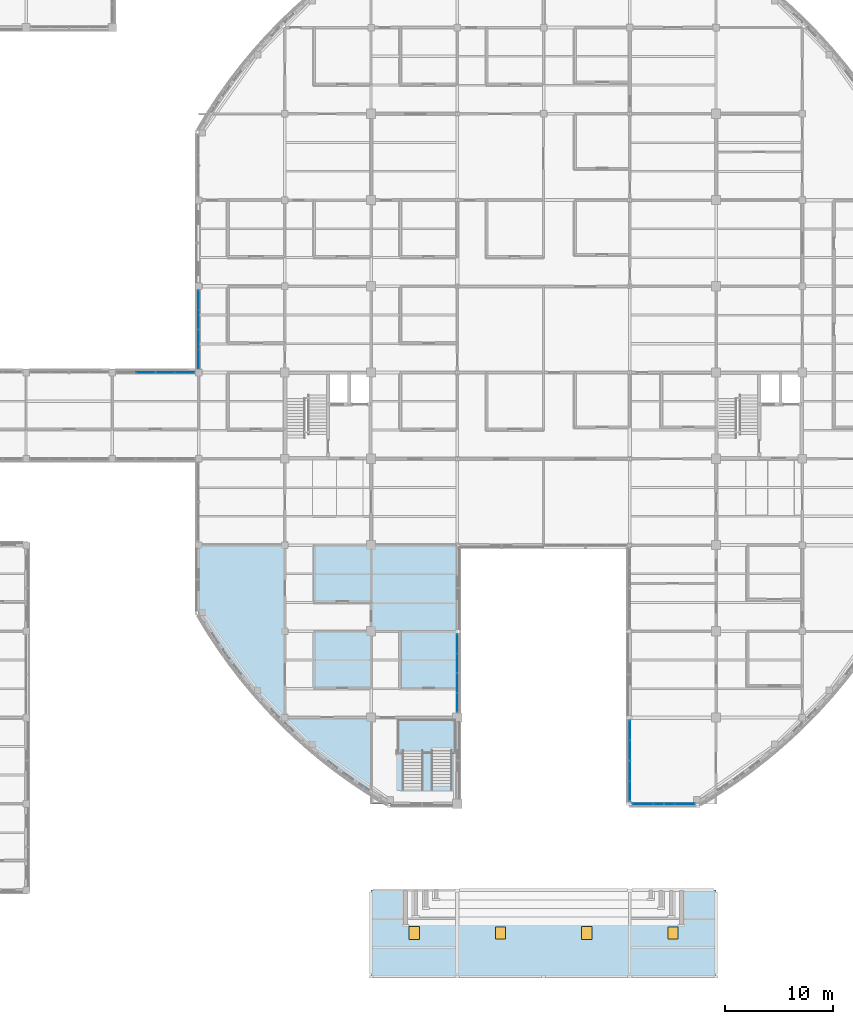
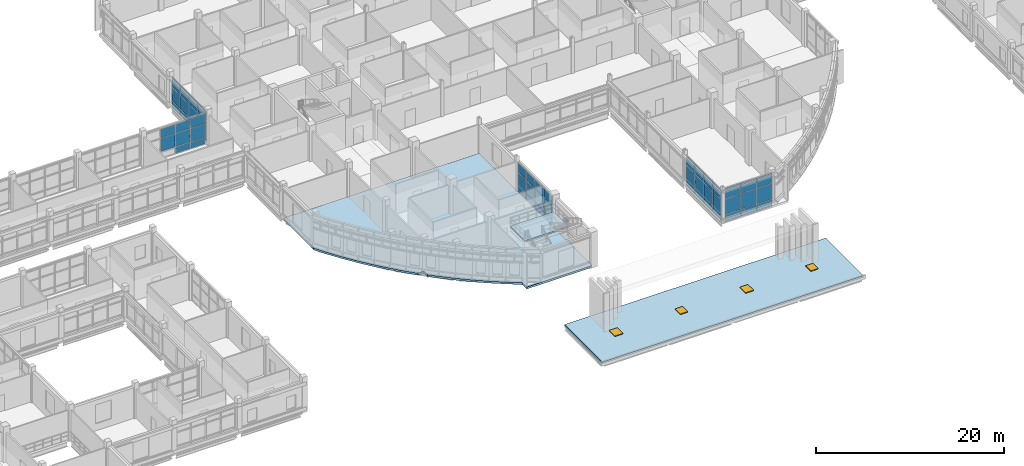
# One storey, part 64 of 121: 53 plates, 4 doors, 3 slabs, 4 openings, 6 elements without a shape of their own.
"""IFC4 building model written with IfcOpenShell, lengths in metres."""

from ifc_helpers import new_model, si_unit, derived_unit, direction, frame, origin, origin_2d, place, context, subcontext, project, spatial, polyline, rectangle, outline, extrude, material, layer, layer_set, type_object, element, fill, aggregate, save


model = new_model("IFC4")

# Units and contexts
model_context = context("Model", 3, precision=1e-05, world=origin(), true_north=direction((0.0, 1.0)))
body_context = subcontext(model_context, "Body", "Model", "MODEL_VIEW")
ifc_project = project(units=[si_unit("LENGTHUNIT", "METRE"), si_unit("AREAUNIT", "SQUARE_METRE"), si_unit("VOLUMEUNIT", "CUBIC_METRE"), si_unit("PLANEANGLEUNIT", "RADIAN"), si_unit("MASSUNIT", "GRAM", prefix="KILO"), derived_unit("THERMALTRANSMITTANCEUNIT", [(si_unit("MASSUNIT", "GRAM", prefix="KILO"), 1), (si_unit("TIMEUNIT", "SECOND"), -3), (si_unit("THERMODYNAMICTEMPERATUREUNIT", "KELVIN"), -1)])], contexts=[model_context])

# Site, building, storey
site_placement = place(None, origin())
site = spatial("IfcSite", under=ifc_project, at=site_placement, CompositionType="ELEMENT")
building_placement = place(site_placement, origin())
building = spatial("IfcBuilding", under=site, at=building_placement, Name="Veyamyaing Civic Hall", CompositionType="ELEMENT")
storey_placement = place(building_placement, frame((0.0, 0.0, 5.280029296875)))
storey = spatial("IfcBuildingStorey", under=building, at=storey_placement, Name="L01", CompositionType="ELEMENT", Elevation=5.280029296875)

# Curtain wall, plates
ifc_material_1 = material(Name="Anodised aluminium 6063-T6", Category="aluminium")
ifc_layer_1 = layer(ifc_material_1, 0.159912109375, Name="Anodised aluminium 6063-T6")
ifc_layer_set_1 = layer_set([ifc_layer_1], Name="Anodised aluminium 6063-T6")
curtain_wall_type = type_object("IfcCurtainWallType", Name="CW-02", PredefinedType="NOTDEFINED", material=ifc_layer_set_1)
curtain_wall_1_placement = place(storey_placement, origin())
curtain_wall_1 = element("IfcCurtainWall", 1, at=curtain_wall_1_placement, inside=storey, type_object=curtain_wall_type, Name="Unitized curtain wall CW-02 L01 N 7.7", PredefinedType="NOTDEFINED")
ifc_material_2 = material(Name="Low-E insulated glass", Category="glass")
ifc_layer_2 = layer(ifc_material_2, 0.035888671875, Name="Low-E insulated glass")
ifc_layer_set_2 = layer_set([ifc_layer_2], Name="Low-E insulated glass")
plate_type_1 = type_object("IfcPlateType", Name="CWP-03", PredefinedType="CURTAIN_PANEL", material=ifc_layer_set_2)
plate_1_placement = place(storey_placement, frame((51.08251953125, 56.0, 0.9326171875), z_axis=(0.0, 0.0, 1.0), x_axis=(1.0, 0.0, 0.0)))
plate_1 = element("IfcPlate", 2, at=plate_1_placement, type_object=plate_type_1, Name="CW-02 panel 2.2", PredefinedType="CURTAIN_PANEL", context=body_context, shape_type="SweptSolid", body=[
    extrude(rectangle(XDim=1.77001953125, YDim=0.035888671875, at=origin_2d()), origin(), (0.0, 0.0, 1.0), 1.696533203125),
])
plate_2_placement = place(storey_placement, frame((51.08251953125, 56.0, 2.69384765625), z_axis=(0.0, 0.0, 1.0), x_axis=(1.0, 0.0, 0.0)))
plate_2 = element("IfcPlate", 3, at=plate_2_placement, type_object=plate_type_1, Name="CW-02 panel 2.3", PredefinedType="CURTAIN_PANEL", context=body_context, shape_type="SweptSolid", body=[
    extrude(rectangle(XDim=1.77001953125, YDim=0.035888671875, at=origin_2d()), origin(), (0.0, 0.0, 1.0), 1.155029296875),
])
plate_3_placement = place(storey_placement, frame((52.91748046875, 56.0, 0.06494140625), z_axis=(0.0, 0.0, 1.0), x_axis=(1.0, 0.0, 0.0)))
plate_3 = element("IfcPlate", 4, at=plate_3_placement, type_object=plate_type_1, Name="CW-02 panel 3.1", PredefinedType="CURTAIN_PANEL", context=body_context, shape_type="SweptSolid", body=[
    extrude(rectangle(XDim=1.77001953125, YDim=0.035888671875, at=origin_2d()), origin(), (0.0, 0.0, 1.0), 0.802490234375),
])
plate_4_placement = place(storey_placement, frame((52.91748046875, 56.0, 0.9326171875), z_axis=(0.0, 0.0, 1.0), x_axis=(1.0, 0.0, 0.0)))
plate_4 = element("IfcPlate", 5, at=plate_4_placement, type_object=plate_type_1, Name="CW-02 panel 3.2", PredefinedType="CURTAIN_PANEL", context=body_context, shape_type="SweptSolid", body=[
    extrude(rectangle(XDim=1.77001953125, YDim=0.035888671875, at=origin_2d()), origin(), (0.0, 0.0, 1.0), 1.696533203125),
])
plate_5_placement = place(storey_placement, frame((52.91748046875, 56.0, 2.69384765625), z_axis=(0.0, 0.0, 1.0), x_axis=(1.0, 0.0, 0.0)))
plate_5 = element("IfcPlate", 6, at=plate_5_placement, type_object=plate_type_1, Name="CW-02 panel 3.3", PredefinedType="CURTAIN_PANEL", context=body_context, shape_type="SweptSolid", body=[
    extrude(rectangle(XDim=1.77001953125, YDim=0.035888671875, at=origin_2d()), origin(), (0.0, 0.0, 1.0), 1.155029296875),
])
plate_6_placement = place(storey_placement, frame((54.736328125, 56.0, 0.06494140625), z_axis=(0.0, 0.0, 1.0), x_axis=(1.0, 0.0, 0.0)))
plate_6 = element("IfcPlate", 7, at=plate_6_placement, type_object=plate_type_1, Name="CW-02 panel 4.1", PredefinedType="CURTAIN_PANEL", context=body_context, shape_type="SweptSolid", body=[
    extrude(rectangle(XDim=1.737548828125, YDim=0.035888671875, at=origin_2d()), origin(), (0.0, 0.0, 1.0), 0.802490234375),
])
plate_7_placement = place(storey_placement, frame((54.736328125, 56.0, 0.9326171875), z_axis=(0.0, 0.0, 1.0), x_axis=(1.0, 0.0, 0.0)))
plate_7 = element("IfcPlate", 8, at=plate_7_placement, type_object=plate_type_1, Name="CW-02 panel 4.2", PredefinedType="CURTAIN_PANEL", context=body_context, shape_type="SweptSolid", body=[
    extrude(rectangle(XDim=1.737548828125, YDim=0.035888671875, at=origin_2d()), origin(), (0.0, 0.0, 1.0), 1.696533203125),
])
plate_8_placement = place(storey_placement, frame((54.736328125, 56.0, 2.69384765625), z_axis=(0.0, 0.0, 1.0), x_axis=(1.0, 0.0, 0.0)))
plate_8 = element("IfcPlate", 9, at=plate_8_placement, type_object=plate_type_1, Name="CW-02 panel 4.3", PredefinedType="CURTAIN_PANEL", context=body_context, shape_type="SweptSolid", body=[
    extrude(rectangle(XDim=1.737548828125, YDim=0.035888671875, at=origin_2d()), origin(), (0.0, 0.0, 1.0), 1.155029296875),
])
aggregate(curtain_wall_1, [plate_1, plate_2, plate_3, plate_4, plate_5, plate_6, plate_7, plate_8])

curtain_wall_2_placement = place(storey_placement, origin())
curtain_wall_2 = element("IfcCurtainWall", 10, at=curtain_wall_2_placement, inside=storey, type_object=curtain_wall_type, Name="Unitized curtain wall CW-02 L01 E 10.4", PredefinedType="NOTDEFINED")
plate_9_placement = place(storey_placement, frame((80.0, 25.387451171875, 0.06494140625), z_axis=(0.0, 0.0, 1.0), x_axis=(0.0, 1.0, 0.0)))
plate_9 = element("IfcPlate", 11, at=plate_9_placement, type_object=plate_type_1, Name="CW-02 panel 1.1", PredefinedType="CURTAIN_PANEL", context=body_context, shape_type="SweptSolid", body=[
    extrude(rectangle(XDim=1.73486328125, YDim=0.035888671875, at=origin_2d()), origin(), (0.0, 0.0, 1.0), 0.802490234375),
])
plate_10_placement = place(storey_placement, frame((80.0, 25.387451171875, 0.932373046875), z_axis=(0.0, 0.0, 1.0), x_axis=(0.0, 1.0, 0.0)))
plate_10 = element("IfcPlate", 12, at=plate_10_placement, type_object=plate_type_1, Name="CW-02 panel 1.2", PredefinedType="CURTAIN_PANEL", context=body_context, shape_type="SweptSolid", body=[
    extrude(rectangle(XDim=1.73486328125, YDim=0.035888671875, at=origin_2d()), origin(), (0.0, 0.0, 1.0), 1.66259765625),
])
plate_11_placement = place(storey_placement, frame((80.0, 25.387451171875, 2.66015625), z_axis=(0.0, 0.0, 1.0), x_axis=(0.0, 1.0, 0.0)))
plate_11 = element("IfcPlate", 13, at=plate_11_placement, type_object=plate_type_1, Name="CW-02 panel 1.3", PredefinedType="CURTAIN_PANEL", context=body_context, shape_type="SweptSolid", body=[
    extrude(rectangle(XDim=1.73486328125, YDim=0.035888671875, at=origin_2d()), origin(), (0.0, 0.0, 1.0), 1.138916015625),
])
plate_12_placement = place(storey_placement, frame((80.0, 27.203369140625, 0.06494140625), z_axis=(0.0, 0.0, 1.0), x_axis=(0.0, 1.0, 0.0)))
plate_12 = element("IfcPlate", 14, at=plate_12_placement, type_object=plate_type_1, Name="CW-02 panel 2.1", PredefinedType="CURTAIN_PANEL", context=body_context, shape_type="SweptSolid", body=[
    extrude(rectangle(XDim=1.767333984375, YDim=0.035888671875, at=origin_2d()), origin(), (0.0, 0.0, 1.0), 0.802490234375),
])
plate_13_placement = place(storey_placement, frame((80.0, 27.203369140625, 0.932373046875), z_axis=(0.0, 0.0, 1.0), x_axis=(0.0, 1.0, 0.0)))
plate_13 = element("IfcPlate", 15, at=plate_13_placement, type_object=plate_type_1, Name="CW-02 panel 2.2", PredefinedType="CURTAIN_PANEL", context=body_context, shape_type="SweptSolid", body=[
    extrude(rectangle(XDim=1.767333984375, YDim=0.035888671875, at=origin_2d()), origin(), (0.0, 0.0, 1.0), 1.66259765625),
])
plate_14_placement = place(storey_placement, frame((80.0, 27.203369140625, 2.66015625), z_axis=(0.0, 0.0, 1.0), x_axis=(0.0, 1.0, 0.0)))
plate_14 = element("IfcPlate", 16, at=plate_14_placement, type_object=plate_type_1, Name="CW-02 panel 2.3", PredefinedType="CURTAIN_PANEL", context=body_context, shape_type="SweptSolid", body=[
    extrude(rectangle(XDim=1.767333984375, YDim=0.035888671875, at=origin_2d()), origin(), (0.0, 0.0, 1.0), 1.138916015625),
])
plate_15_placement = place(storey_placement, frame((80.0, 29.03564453125, 0.06494140625), z_axis=(0.0, 0.0, 1.0), x_axis=(0.0, 1.0, 0.0)))
plate_15 = element("IfcPlate", 17, at=plate_15_placement, type_object=plate_type_1, Name="CW-02 panel 3.1", PredefinedType="CURTAIN_PANEL", context=body_context, shape_type="SweptSolid", body=[
    extrude(rectangle(XDim=1.767333984375, YDim=0.035888671875, at=origin_2d()), origin(), (0.0, 0.0, 1.0), 0.802490234375),
])
plate_16_placement = place(storey_placement, frame((80.0, 29.03564453125, 0.932373046875), z_axis=(0.0, 0.0, 1.0), x_axis=(0.0, 1.0, 0.0)))
plate_16 = element("IfcPlate", 18, at=plate_16_placement, type_object=plate_type_1, Name="CW-02 panel 3.2", PredefinedType="CURTAIN_PANEL", context=body_context, shape_type="SweptSolid", body=[
    extrude(rectangle(XDim=1.767333984375, YDim=0.035888671875, at=origin_2d()), origin(), (0.0, 0.0, 1.0), 1.66259765625),
])
plate_17_placement = place(storey_placement, frame((80.0, 29.03564453125, 2.66015625), z_axis=(0.0, 0.0, 1.0), x_axis=(0.0, 1.0, 0.0)))
plate_17 = element("IfcPlate", 19, at=plate_17_placement, type_object=plate_type_1, Name="CW-02 panel 3.3", PredefinedType="CURTAIN_PANEL", context=body_context, shape_type="SweptSolid", body=[
    extrude(rectangle(XDim=1.767333984375, YDim=0.035888671875, at=origin_2d()), origin(), (0.0, 0.0, 1.0), 1.138916015625),
])
plate_18_placement = place(storey_placement, frame((80.0, 30.8515625, 0.06494140625), z_axis=(0.0, 0.0, 1.0), x_axis=(0.0, 1.0, 0.0)))
plate_18 = element("IfcPlate", 20, at=plate_18_placement, type_object=plate_type_1, Name="CW-02 panel 4.1", PredefinedType="CURTAIN_PANEL", context=body_context, shape_type="SweptSolid", body=[
    extrude(rectangle(XDim=1.73486328125, YDim=0.035888671875, at=origin_2d()), origin(), (0.0, 0.0, 1.0), 0.802490234375),
])
plate_19_placement = place(storey_placement, frame((80.0, 30.8515625, 0.932373046875), z_axis=(0.0, 0.0, 1.0), x_axis=(0.0, 1.0, 0.0)))
plate_19 = element("IfcPlate", 21, at=plate_19_placement, type_object=plate_type_1, Name="CW-02 panel 4.2", PredefinedType="CURTAIN_PANEL", context=body_context, shape_type="SweptSolid", body=[
    extrude(rectangle(XDim=1.73486328125, YDim=0.035888671875, at=origin_2d()), origin(), (0.0, 0.0, 1.0), 1.66259765625),
])
plate_20_placement = place(storey_placement, frame((80.0, 30.8515625, 2.66015625), z_axis=(0.0, 0.0, 1.0), x_axis=(0.0, 1.0, 0.0)))
plate_20 = element("IfcPlate", 22, at=plate_20_placement, type_object=plate_type_1, Name="CW-02 panel 4.3", PredefinedType="CURTAIN_PANEL", context=body_context, shape_type="SweptSolid", body=[
    extrude(rectangle(XDim=1.73486328125, YDim=0.035888671875, at=origin_2d()), origin(), (0.0, 0.0, 1.0), 1.138916015625),
])
aggregate(curtain_wall_2, [plate_9, plate_10, plate_11, plate_12, plate_13, plate_14, plate_15, plate_16, plate_17, plate_18, plate_19, plate_20])

curtain_wall_3_placement = place(storey_placement, origin())
curtain_wall_3 = element("IfcCurtainWall", 23, at=curtain_wall_3_placement, inside=storey, type_object=curtain_wall_type, Name="Unitized curtain wall CW-02 L01 W 8.8", PredefinedType="NOTDEFINED")
ifc_layer_3 = layer(ifc_material_2, 0.0400390625, Name="Low-E insulated glass")
ifc_layer_set_3 = layer_set([ifc_layer_3], Name="Low-E insulated glass")
plate_type_2 = type_object("IfcPlateType", Name="CWP-05", PredefinedType="CURTAIN_PANEL", material=ifc_layer_set_3)
plate_21_placement = place(storey_placement, frame((56.0, 57.263671875, 0.06494140625), z_axis=(0.0, 0.0, 1.0), x_axis=(0.0, 1.0, 0.0)))
plate_21 = element("IfcPlate", 24, at=plate_21_placement, type_object=plate_type_2, Name="CW-02 panel 1.1", PredefinedType="CURTAIN_PANEL", context=body_context, shape_type="SweptSolid", body=[
    extrude(rectangle(XDim=1.737548828125, YDim=0.0400390625, at=origin_2d()), origin(), (0.0, 0.0, 1.0), 0.802490234375),
])
plate_22_placement = place(storey_placement, frame((56.0, 57.263671875, 0.9326171875), z_axis=(0.0, 0.0, 1.0), x_axis=(0.0, 1.0, 0.0)))
plate_22 = element("IfcPlate", 25, at=plate_22_placement, type_object=plate_type_2, Name="CW-02 panel 1.2", PredefinedType="CURTAIN_PANEL", context=body_context, shape_type="SweptSolid", body=[
    extrude(rectangle(XDim=1.737548828125, YDim=0.0400390625, at=origin_2d()), origin(), (0.0, 0.0, 1.0), 1.739501953125),
])
plate_23_placement = place(storey_placement, frame((56.0, 57.263671875, 2.73681640625), z_axis=(0.0, 0.0, 1.0), x_axis=(0.0, 1.0, 0.0)))
plate_23 = element("IfcPlate", 26, at=plate_23_placement, type_object=plate_type_2, Name="CW-02 panel 1.3", PredefinedType="CURTAIN_PANEL", context=body_context, shape_type="SweptSolid", body=[
    extrude(rectangle(XDim=1.737548828125, YDim=0.0400390625, at=origin_2d()), origin(), (0.0, 0.0, 1.0), 1.175048828125),
])
plate_24_placement = place(storey_placement, frame((56.0, 59.08251953125, 0.06494140625), z_axis=(0.0, 0.0, 1.0), x_axis=(0.0, 1.0, 0.0)))
plate_24 = element("IfcPlate", 27, at=plate_24_placement, type_object=plate_type_2, Name="CW-02 panel 2.1", PredefinedType="CURTAIN_PANEL", context=body_context, shape_type="SweptSolid", body=[
    extrude(rectangle(XDim=1.77001953125, YDim=0.0400390625, at=origin_2d()), origin(), (0.0, 0.0, 1.0), 0.802490234375),
])
plate_25_placement = place(storey_placement, frame((56.0, 59.08251953125, 0.9326171875), z_axis=(0.0, 0.0, 1.0), x_axis=(0.0, 1.0, 0.0)))
plate_25 = element("IfcPlate", 28, at=plate_25_placement, type_object=plate_type_2, Name="CW-02 panel 2.2", PredefinedType="CURTAIN_PANEL", context=body_context, shape_type="SweptSolid", body=[
    extrude(rectangle(XDim=1.77001953125, YDim=0.0400390625, at=origin_2d()), origin(), (0.0, 0.0, 1.0), 1.739501953125),
])
plate_26_placement = place(storey_placement, frame((56.0, 59.08251953125, 2.73681640625), z_axis=(0.0, 0.0, 1.0), x_axis=(0.0, 1.0, 0.0)))
plate_26 = element("IfcPlate", 29, at=plate_26_placement, type_object=plate_type_2, Name="CW-02 panel 2.3", PredefinedType="CURTAIN_PANEL", context=body_context, shape_type="SweptSolid", body=[
    extrude(rectangle(XDim=1.77001953125, YDim=0.0400390625, at=origin_2d()), origin(), (0.0, 0.0, 1.0), 1.175048828125),
])
plate_27_placement = place(storey_placement, frame((56.0, 60.91748046875, 0.06494140625), z_axis=(0.0, 0.0, 1.0), x_axis=(0.0, 1.0, 0.0)))
plate_27 = element("IfcPlate", 30, at=plate_27_placement, type_object=plate_type_2, Name="CW-02 panel 3.1", PredefinedType="CURTAIN_PANEL", context=body_context, shape_type="SweptSolid", body=[
    extrude(rectangle(XDim=1.77001953125, YDim=0.0400390625, at=origin_2d()), origin(), (0.0, 0.0, 1.0), 0.802490234375),
])
plate_28_placement = place(storey_placement, frame((56.0, 60.91748046875, 0.9326171875), z_axis=(0.0, 0.0, 1.0), x_axis=(0.0, 1.0, 0.0)))
plate_28 = element("IfcPlate", 31, at=plate_28_placement, type_object=plate_type_2, Name="CW-02 panel 3.2", PredefinedType="CURTAIN_PANEL", context=body_context, shape_type="SweptSolid", body=[
    extrude(rectangle(XDim=1.77001953125, YDim=0.0400390625, at=origin_2d()), origin(), (0.0, 0.0, 1.0), 1.739501953125),
])
plate_29_placement = place(storey_placement, frame((56.0, 60.91748046875, 2.73681640625), z_axis=(0.0, 0.0, 1.0), x_axis=(0.0, 1.0, 0.0)))
plate_29 = element("IfcPlate", 32, at=plate_29_placement, type_object=plate_type_2, Name="CW-02 panel 3.3", PredefinedType="CURTAIN_PANEL", context=body_context, shape_type="SweptSolid", body=[
    extrude(rectangle(XDim=1.77001953125, YDim=0.0400390625, at=origin_2d()), origin(), (0.0, 0.0, 1.0), 1.175048828125),
])
plate_30_placement = place(storey_placement, frame((56.0, 62.736328125, 0.06494140625), z_axis=(0.0, 0.0, 1.0), x_axis=(0.0, 1.0, 0.0)))
plate_30 = element("IfcPlate", 33, at=plate_30_placement, type_object=plate_type_2, Name="CW-02 panel 4.1", PredefinedType="CURTAIN_PANEL", context=body_context, shape_type="SweptSolid", body=[
    extrude(rectangle(XDim=1.737548828125, YDim=0.0400390625, at=origin_2d()), origin(), (0.0, 0.0, 1.0), 0.802490234375),
])
plate_31_placement = place(storey_placement, frame((56.0, 62.736328125, 0.9326171875), z_axis=(0.0, 0.0, 1.0), x_axis=(0.0, 1.0, 0.0)))
plate_31 = element("IfcPlate", 34, at=plate_31_placement, type_object=plate_type_2, Name="CW-02 panel 4.2", PredefinedType="CURTAIN_PANEL", context=body_context, shape_type="SweptSolid", body=[
    extrude(rectangle(XDim=1.737548828125, YDim=0.0400390625, at=origin_2d()), origin(), (0.0, 0.0, 1.0), 1.739501953125),
])
plate_32_placement = place(storey_placement, frame((56.0, 62.736328125, 2.73681640625), z_axis=(0.0, 0.0, 1.0), x_axis=(0.0, 1.0, 0.0)))
plate_32 = element("IfcPlate", 35, at=plate_32_placement, type_object=plate_type_2, Name="CW-02 panel 4.3", PredefinedType="CURTAIN_PANEL", context=body_context, shape_type="SweptSolid", body=[
    extrude(rectangle(XDim=1.737548828125, YDim=0.0400390625, at=origin_2d()), origin(), (0.0, 0.0, 1.0), 1.175048828125),
])
aggregate(curtain_wall_3, [plate_21, plate_22, plate_23, plate_24, plate_25, plate_26, plate_27, plate_28, plate_29, plate_30, plate_31, plate_32])

curtain_wall_4_placement = place(storey_placement, origin())
curtain_wall_4 = element("IfcCurtainWall", 36, at=curtain_wall_4_placement, inside=storey, type_object=curtain_wall_type, Name="Unitized curtain wall CW-02 L01 S 13.3", PredefinedType="NOTDEFINED")
plate_33_placement = place(storey_placement, frame((97.2138671875, 16.0, 0.06494140625), z_axis=(0.0, 0.0, 1.0), x_axis=(1.0, 0.0, 0.0)))
plate_33 = element("IfcPlate", 37, at=plate_33_placement, type_object=plate_type_2, Name="CW-02 panel 1.1", PredefinedType="CURTAIN_PANEL", context=body_context, shape_type="SweptSolid", body=[
    extrude(rectangle(XDim=1.86376953125, YDim=0.0400390625, at=origin_2d()), origin(), (0.0, 0.0, 1.0), 0.802490234375),
])
plate_34_placement = place(storey_placement, frame((97.2138671875, 16.0, 0.932373046875), z_axis=(0.0, 0.0, 1.0), x_axis=(1.0, 0.0, 0.0)))
plate_34 = element("IfcPlate", 38, at=plate_34_placement, type_object=plate_type_2, Name="CW-02 panel 1.2", PredefinedType="CURTAIN_PANEL", context=body_context, shape_type="SweptSolid", body=[
    extrude(rectangle(XDim=1.86376953125, YDim=0.0400390625, at=origin_2d()), origin(), (0.0, 0.0, 1.0), 1.98291015625),
])
plate_35_placement = place(storey_placement, frame((97.2138671875, 16.0, 2.97998046875), z_axis=(0.0, 0.0, 1.0), x_axis=(1.0, 0.0, 0.0)))
plate_35 = element("IfcPlate", 39, at=plate_35_placement, type_object=plate_type_2, Name="CW-02 panel 1.3", PredefinedType="CURTAIN_PANEL", context=body_context, shape_type="SweptSolid", body=[
    extrude(rectangle(XDim=1.86376953125, YDim=0.0400390625, at=origin_2d()), origin(), (0.0, 0.0, 1.0), 1.289794921875),
])
plate_36_placement = place(storey_placement, frame((99.158935546875, 16.0, 0.06494140625), z_axis=(0.0, 0.0, 1.0), x_axis=(1.0, 0.0, 0.0)))
plate_36 = element("IfcPlate", 40, at=plate_36_placement, type_object=plate_type_2, Name="CW-02 panel 2.1", PredefinedType="CURTAIN_PANEL", context=body_context, shape_type="SweptSolid", body=[
    extrude(rectangle(XDim=1.896240234375, YDim=0.0400390625, at=origin_2d()), origin(), (0.0, 0.0, 1.0), 0.802490234375),
])
plate_37_placement = place(storey_placement, frame((99.158935546875, 16.0, 0.932373046875), z_axis=(0.0, 0.0, 1.0), x_axis=(1.0, 0.0, 0.0)))
plate_37 = element("IfcPlate", 41, at=plate_37_placement, type_object=plate_type_2, Name="CW-02 panel 2.2", PredefinedType="CURTAIN_PANEL", context=body_context, shape_type="SweptSolid", body=[
    extrude(rectangle(XDim=1.896240234375, YDim=0.0400390625, at=origin_2d()), origin(), (0.0, 0.0, 1.0), 1.98291015625),
])
plate_38_placement = place(storey_placement, frame((99.158935546875, 16.0, 2.97998046875), z_axis=(0.0, 0.0, 1.0), x_axis=(1.0, 0.0, 0.0)))
plate_38 = element("IfcPlate", 42, at=plate_38_placement, type_object=plate_type_2, Name="CW-02 panel 2.3", PredefinedType="CURTAIN_PANEL", context=body_context, shape_type="SweptSolid", body=[
    extrude(rectangle(XDim=1.896240234375, YDim=0.0400390625, at=origin_2d()), origin(), (0.0, 0.0, 1.0), 1.289794921875),
])
plate_39_placement = place(storey_placement, frame((101.10400390625, 16.0, 0.06494140625), z_axis=(0.0, 0.0, 1.0), x_axis=(1.0, 0.0, 0.0)))
plate_39 = element("IfcPlate", 43, at=plate_39_placement, type_object=plate_type_2, Name="CW-02 panel 3.1", PredefinedType="CURTAIN_PANEL", context=body_context, shape_type="SweptSolid", body=[
    extrude(rectangle(XDim=1.86376953125, YDim=0.0400390625, at=origin_2d()), origin(), (0.0, 0.0, 1.0), 0.802490234375),
])
plate_40_placement = place(storey_placement, frame((101.10400390625, 16.0, 0.932373046875), z_axis=(0.0, 0.0, 1.0), x_axis=(1.0, 0.0, 0.0)))
plate_40 = element("IfcPlate", 44, at=plate_40_placement, type_object=plate_type_2, Name="CW-02 panel 3.2", PredefinedType="CURTAIN_PANEL", context=body_context, shape_type="SweptSolid", body=[
    extrude(rectangle(XDim=1.86376953125, YDim=0.0400390625, at=origin_2d()), origin(), (0.0, 0.0, 1.0), 1.98291015625),
])
plate_41_placement = place(storey_placement, frame((101.10400390625, 16.0, 2.97998046875), z_axis=(0.0, 0.0, 1.0), x_axis=(1.0, 0.0, 0.0)))
plate_41 = element("IfcPlate", 45, at=plate_41_placement, type_object=plate_type_2, Name="CW-02 panel 3.3", PredefinedType="CURTAIN_PANEL", context=body_context, shape_type="SweptSolid", body=[
    extrude(rectangle(XDim=1.86376953125, YDim=0.0400390625, at=origin_2d()), origin(), (0.0, 0.0, 1.0), 1.289794921875),
])
aggregate(curtain_wall_4, [plate_33, plate_34, plate_35, plate_36, plate_37, plate_38, plate_39, plate_40, plate_41])

curtain_wall_5_placement = place(storey_placement, origin())
curtain_wall_5 = element("IfcCurtainWall", 46, at=curtain_wall_5_placement, inside=storey, type_object=curtain_wall_type, Name="Unitized curtain wall CW-02 L01 W 13.3", PredefinedType="NOTDEFINED")
plate_42_placement = place(storey_placement, frame((96.0, 17.17822265625, 0.06494140625), z_axis=(0.0, 0.0, 1.0), x_axis=(0.0, 1.0, 0.0)))
plate_42 = element("IfcPlate", 47, at=plate_42_placement, type_object=plate_type_2, Name="CW-02 panel 1.1", PredefinedType="CURTAIN_PANEL", context=body_context, shape_type="SweptSolid", body=[
    extrude(rectangle(XDim=1.79443359375, YDim=0.0400390625, at=origin_2d()), origin(), (0.0, 0.0, 1.0), 0.802490234375),
])
plate_43_placement = place(storey_placement, frame((96.0, 17.17822265625, 0.932373046875), z_axis=(0.0, 0.0, 1.0), x_axis=(0.0, 1.0, 0.0)))
plate_43 = element("IfcPlate", 48, at=plate_43_placement, type_object=plate_type_2, Name="CW-02 panel 1.2", PredefinedType="CURTAIN_PANEL", context=body_context, shape_type="SweptSolid", body=[
    extrude(rectangle(XDim=1.79443359375, YDim=0.0400390625, at=origin_2d()), origin(), (0.0, 0.0, 1.0), 1.77001953125),
])
plate_44_placement = place(storey_placement, frame((96.0, 17.17822265625, 2.767578125), z_axis=(0.0, 0.0, 1.0), x_axis=(0.0, 1.0, 0.0)))
plate_44 = element("IfcPlate", 49, at=plate_44_placement, type_object=plate_type_2, Name="CW-02 panel 1.3", PredefinedType="CURTAIN_PANEL", context=body_context, shape_type="SweptSolid", body=[
    extrude(rectangle(XDim=1.79443359375, YDim=0.0400390625, at=origin_2d()), origin(), (0.0, 0.0, 1.0), 1.189453125),
])
plate_45_placement = place(storey_placement, frame((96.0, 19.053955078125, 0.06494140625), z_axis=(0.0, 0.0, 1.0), x_axis=(0.0, 1.0, 0.0)))
plate_45 = element("IfcPlate", 50, at=plate_45_placement, type_object=plate_type_2, Name="CW-02 panel 2.1", PredefinedType="CURTAIN_PANEL", context=body_context, shape_type="SweptSolid", body=[
    extrude(rectangle(XDim=1.826904296875, YDim=0.0400390625, at=origin_2d()), origin(), (0.0, 0.0, 1.0), 0.802490234375),
])
plate_46_placement = place(storey_placement, frame((96.0, 19.053955078125, 0.932373046875), z_axis=(0.0, 0.0, 1.0), x_axis=(0.0, 1.0, 0.0)))
plate_46 = element("IfcPlate", 51, at=plate_46_placement, type_object=plate_type_2, Name="CW-02 panel 2.2", PredefinedType="CURTAIN_PANEL", context=body_context, shape_type="SweptSolid", body=[
    extrude(rectangle(XDim=1.826904296875, YDim=0.0400390625, at=origin_2d()), origin(), (0.0, 0.0, 1.0), 1.77001953125),
])
plate_47_placement = place(storey_placement, frame((96.0, 19.053955078125, 2.767578125), z_axis=(0.0, 0.0, 1.0), x_axis=(0.0, 1.0, 0.0)))
plate_47 = element("IfcPlate", 52, at=plate_47_placement, type_object=plate_type_2, Name="CW-02 panel 2.3", PredefinedType="CURTAIN_PANEL", context=body_context, shape_type="SweptSolid", body=[
    extrude(rectangle(XDim=1.826904296875, YDim=0.0400390625, at=origin_2d()), origin(), (0.0, 0.0, 1.0), 1.189453125),
])
plate_48_placement = place(storey_placement, frame((96.0, 20.946044921875, 0.06494140625), z_axis=(0.0, 0.0, 1.0), x_axis=(0.0, 1.0, 0.0)))
plate_48 = element("IfcPlate", 53, at=plate_48_placement, type_object=plate_type_2, Name="CW-02 panel 3.1", PredefinedType="CURTAIN_PANEL", context=body_context, shape_type="SweptSolid", body=[
    extrude(rectangle(XDim=1.826904296875, YDim=0.0400390625, at=origin_2d()), origin(), (0.0, 0.0, 1.0), 0.802490234375),
])
plate_49_placement = place(storey_placement, frame((96.0, 20.946044921875, 0.932373046875), z_axis=(0.0, 0.0, 1.0), x_axis=(0.0, 1.0, 0.0)))
plate_49 = element("IfcPlate", 54, at=plate_49_placement, type_object=plate_type_2, Name="CW-02 panel 3.2", PredefinedType="CURTAIN_PANEL", context=body_context, shape_type="SweptSolid", body=[
    extrude(rectangle(XDim=1.826904296875, YDim=0.0400390625, at=origin_2d()), origin(), (0.0, 0.0, 1.0), 1.77001953125),
])
plate_50_placement = place(storey_placement, frame((96.0, 20.946044921875, 2.767578125), z_axis=(0.0, 0.0, 1.0), x_axis=(0.0, 1.0, 0.0)))
plate_50 = element("IfcPlate", 55, at=plate_50_placement, type_object=plate_type_2, Name="CW-02 panel 3.3", PredefinedType="CURTAIN_PANEL", context=body_context, shape_type="SweptSolid", body=[
    extrude(rectangle(XDim=1.826904296875, YDim=0.0400390625, at=origin_2d()), origin(), (0.0, 0.0, 1.0), 1.189453125),
])
plate_51_placement = place(storey_placement, frame((96.0, 22.82177734375, 0.06494140625), z_axis=(0.0, 0.0, 1.0), x_axis=(0.0, 1.0, 0.0)))
plate_51 = element("IfcPlate", 56, at=plate_51_placement, type_object=plate_type_2, Name="CW-02 panel 4.1", PredefinedType="CURTAIN_PANEL", context=body_context, shape_type="SweptSolid", body=[
    extrude(rectangle(XDim=1.79443359375, YDim=0.0400390625, at=origin_2d()), origin(), (0.0, 0.0, 1.0), 0.802490234375),
])
plate_52_placement = place(storey_placement, frame((96.0, 22.82177734375, 0.932373046875), z_axis=(0.0, 0.0, 1.0), x_axis=(0.0, 1.0, 0.0)))
plate_52 = element("IfcPlate", 57, at=plate_52_placement, type_object=plate_type_2, Name="CW-02 panel 4.2", PredefinedType="CURTAIN_PANEL", context=body_context, shape_type="SweptSolid", body=[
    extrude(rectangle(XDim=1.79443359375, YDim=0.0400390625, at=origin_2d()), origin(), (0.0, 0.0, 1.0), 1.77001953125),
])
plate_53_placement = place(storey_placement, frame((96.0, 22.82177734375, 2.767578125), z_axis=(0.0, 0.0, 1.0), x_axis=(0.0, 1.0, 0.0)))
plate_53 = element("IfcPlate", 58, at=plate_53_placement, type_object=plate_type_2, Name="CW-02 panel 4.3", PredefinedType="CURTAIN_PANEL", context=body_context, shape_type="SweptSolid", body=[
    extrude(rectangle(XDim=1.79443359375, YDim=0.0400390625, at=origin_2d()), origin(), (0.0, 0.0, 1.0), 1.189453125),
])
aggregate(curtain_wall_5, [plate_42, plate_43, plate_44, plate_45, plate_46, plate_47, plate_48, plate_49, plate_50, plate_51, plate_52, plate_53])

# Slab
ifc_material_3 = material(Name="Concrete C40/50", Category="concrete")
ifc_layer_4 = layer(ifc_material_3, 0.2451171875, Name="Concrete C40/50")
ifc_layer_set_4 = layer_set([ifc_layer_4], Name="Concrete C40/50")
slab_type_1 = type_object("IfcSlabType", Name="SL-03", PredefinedType="FLOOR", material=ifc_layer_set_4)
slab_1_placement = place(storey_placement, frame((0.0, 0.0, -0.2451171875)))
element("IfcSlab", 59, at=slab_1_placement, inside=storey, type_object=slab_type_1, Name="Floor slab SL-03 L01 V1S.1", PredefinedType="FLOOR", context=body_context, shape_type="SweptSolid", body=[
    extrude(outline(polyline([(56.0, 40.0), (80.0, 40.0), (80.0, 16.0), (72.0, 16.0), (72.0, 16.947265625), (70.52978515625, 17.909912109375), (69.06591796875, 18.948486328125), (67.6416015625, 20.041259765625), (66.259521484375, 21.1865234375), (64.9208984375, 22.3828125), (64.0, 23.269775390625), (64.0, 24.0), (63.269775390625, 24.0), (62.3828125, 24.9208984375), (61.1865234375, 26.259521484375), (60.041259765625, 27.6416015625), (58.948486328125, 29.06591796875), (57.909912109375, 30.52978515625), (56.926513671875, 32.03173828125), (56.0, 33.569091796875), (56.0, 40.0)])), origin(), (0.0, 0.0, 1.0), 0.2451171875),
])

# Slab, openings, doors
ifc_layer_5 = layer(ifc_material_3, 0.239990234375, Name="Concrete C40/50")
ifc_layer_set_5 = layer_set([ifc_layer_5], Name="Concrete C40/50")
slab_type_2 = type_object("IfcSlabType", Name="SL-15", PredefinedType="ROOF", material=ifc_layer_set_5)
slab_2_placement = place(storey_placement, frame((0.0, 0.0, -0.239990234375)))
slab_2 = element("IfcSlab", 60, at=slab_2_placement, inside=storey, type_object=slab_type_2, Name="Roof slab SL-15 L01 V4SE.1", PredefinedType="ROOF", context=body_context, shape_type="SweptSolid", body=[
    extrude(outline(polyline([(72.0, 8.0), (104.0, 8.0), (104.0, 0.0), (72.0, 0.0), (72.0, 8.0)])), origin(), (0.0, 0.0, 1.0), 0.239990234375),
])
opening_1_placement = place(slab_2_placement, frame((76.0, 4.0, 0.0)))
opening_1 = element("IfcOpeningElement", 61, at=opening_1_placement, cuts=slab_2, Name="Opening DH-01", PredefinedType="OPENING", context=body_context, shape_type="SweptSolid", body=[
    extrude(rectangle(XDim=1.0, YDim=1.199951171875, at=origin_2d()), frame((0.0, 0.0, -0.010009765625)), (0.0, 0.0, 1.0), 0.340087890625),
])
opening_2_placement = place(slab_2_placement, frame((84.0, 4.0, 0.0)))
opening_2 = element("IfcOpeningElement", 62, at=opening_2_placement, cuts=slab_2, Name="Opening DH-02", PredefinedType="OPENING", context=body_context, shape_type="SweptSolid", body=[
    extrude(rectangle(XDim=0.89990234375, YDim=1.10009765625, at=origin_2d()), frame((0.0, 0.0, -0.010009765625)), (0.0, 0.0, 1.0), 0.340087890625),
])
opening_3_placement = place(slab_2_placement, frame((92.0, 4.0, 0.0)))
opening_3 = element("IfcOpeningElement", 63, at=opening_3_placement, cuts=slab_2, Name="Opening DH-01", PredefinedType="OPENING", context=body_context, shape_type="SweptSolid", body=[
    extrude(rectangle(XDim=1.0, YDim=1.199951171875, at=origin_2d()), frame((0.0, 0.0, -0.010009765625)), (0.0, 0.0, 1.0), 0.340087890625),
])
opening_4_placement = place(slab_2_placement, frame((100.0, 4.0, 0.0)))
opening_4 = element("IfcOpeningElement", 64, at=opening_4_placement, cuts=slab_2, Name="Opening DH-02", PredefinedType="OPENING", context=body_context, shape_type="SweptSolid", body=[
    extrude(rectangle(XDim=0.89990234375, YDim=1.10009765625, at=origin_2d()), frame((0.0, 0.0, -0.010009765625)), (0.0, 0.0, 1.0), 0.340087890625),
])
door_type_1 = type_object("IfcDoorType", Name="DH-01", OperationType="SINGLE_SWING_LEFT", PredefinedType="TRAPDOOR", material=ifc_material_1)
door_1_placement = place(opening_1_placement, frame((0.0, 0.0, 0.239990234375)))
door_1 = element("IfcDoor", 65, at=door_1_placement, inside=storey, type_object=door_type_1, Name="Roof maintenance access hatch DH-01 L01.1", OperationType="SINGLE_SWING_LEFT", OverallHeight=1.199951171875, OverallWidth=1.0, PredefinedType="TRAPDOOR", context=body_context, shape_type="SweptSolid", body=[
    extrude(rectangle(XDim=1.0, YDim=1.199951171875, at=origin_2d()), origin(), (0.0, 0.0, 1.0), 0.080078125),
])
fill(opening_1, door_1)
door_2_placement = place(opening_3_placement, frame((0.0, 0.0, 0.239990234375)))
door_2 = element("IfcDoor", 66, at=door_2_placement, inside=storey, type_object=door_type_1, Name="Roof maintenance access hatch DH-01 L01.3", OperationType="SINGLE_SWING_LEFT", OverallHeight=1.199951171875, OverallWidth=1.0, PredefinedType="TRAPDOOR", context=body_context, shape_type="SweptSolid", body=[
    extrude(rectangle(XDim=1.0, YDim=1.199951171875, at=origin_2d()), origin(), (0.0, 0.0, 1.0), 0.080078125),
])
fill(opening_3, door_2)
door_type_2 = type_object("IfcDoorType", Name="DH-02", OperationType="SINGLE_SWING_LEFT", PredefinedType="TRAPDOOR", material=ifc_material_1)
door_3_placement = place(opening_2_placement, frame((0.0, 0.0, 0.239990234375)))
door_3 = element("IfcDoor", 67, at=door_3_placement, inside=storey, type_object=door_type_2, Name="Roof maintenance access hatch DH-02 L01.2", OperationType="SINGLE_SWING_LEFT", OverallHeight=1.10009765625, OverallWidth=0.89990234375, PredefinedType="TRAPDOOR", context=body_context, shape_type="SweptSolid", body=[
    extrude(rectangle(XDim=0.89990234375, YDim=1.10009765625, at=origin_2d()), origin(), (0.0, 0.0, 1.0), 0.080078125),
])
fill(opening_2, door_3)
door_4_placement = place(opening_4_placement, frame((0.0, 0.0, 0.239990234375)))
door_4 = element("IfcDoor", 68, at=door_4_placement, inside=storey, type_object=door_type_2, Name="Roof maintenance access hatch DH-02 L01.4", OperationType="SINGLE_SWING_LEFT", OverallHeight=1.10009765625, OverallWidth=0.89990234375, PredefinedType="TRAPDOOR", context=body_context, shape_type="SweptSolid", body=[
    extrude(rectangle(XDim=0.89990234375, YDim=1.10009765625, at=origin_2d()), origin(), (0.0, 0.0, 1.0), 0.080078125),
])
fill(opening_4, door_4)

# Stair, slab
stair_type = type_object("IfcStairType", Name="ST-F", PredefinedType="HALF_TURN_STAIR", material=ifc_material_3)
stair_placement = place(storey_placement, origin())
stair = element("IfcStair", 69, at=stair_placement, inside=storey, type_object=stair_type, Name="Council Chamber Ceremonial Stair ST-08", PredefinedType="HALF_TURN_STAIR")
ifc_layer_6 = layer(ifc_material_3, 0.195068359375, Name="Concrete C40/50")
ifc_layer_set_6 = layer_set([ifc_layer_6], Name="Concrete C40/50")
slab_type_3 = type_object("IfcSlabType", Name="SL-LND", PredefinedType="LANDING", material=ifc_layer_set_6)
slab_3_placement = place(storey_placement, frame((0.0, 0.0, 2.114990234375)))
slab_3 = element("IfcSlab", 70, at=slab_3_placement, type_object=slab_type_3, Name="ST-08 landing 1", PredefinedType="LANDING", context=body_context, shape_type="SweptSolid", body=[
    extrude(outline(polyline([(74.449951171875, 20.679931640625), (79.820068359375, 20.679931640625), (79.820068359375, 23.820068359375), (74.449951171875, 23.820068359375), (74.449951171875, 20.679931640625)])), origin(), (0.0, 0.0, 1.0), 0.195068359375),
])
aggregate(stair, [slab_3])

save(model, "model.ifc")
